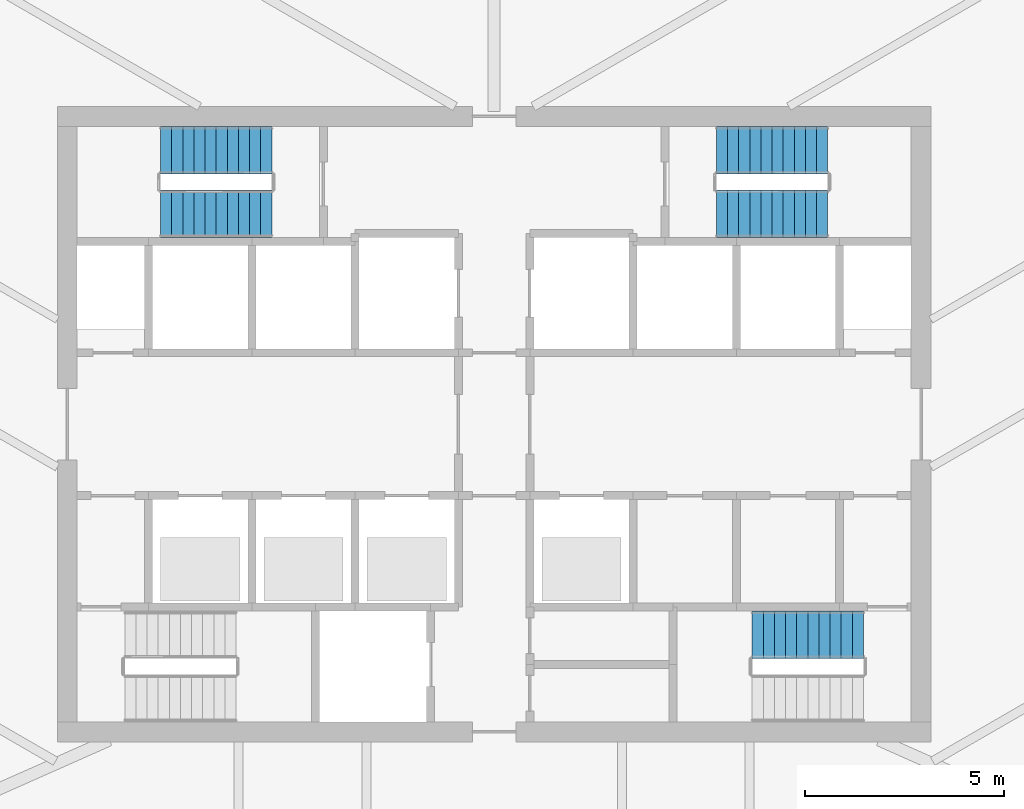
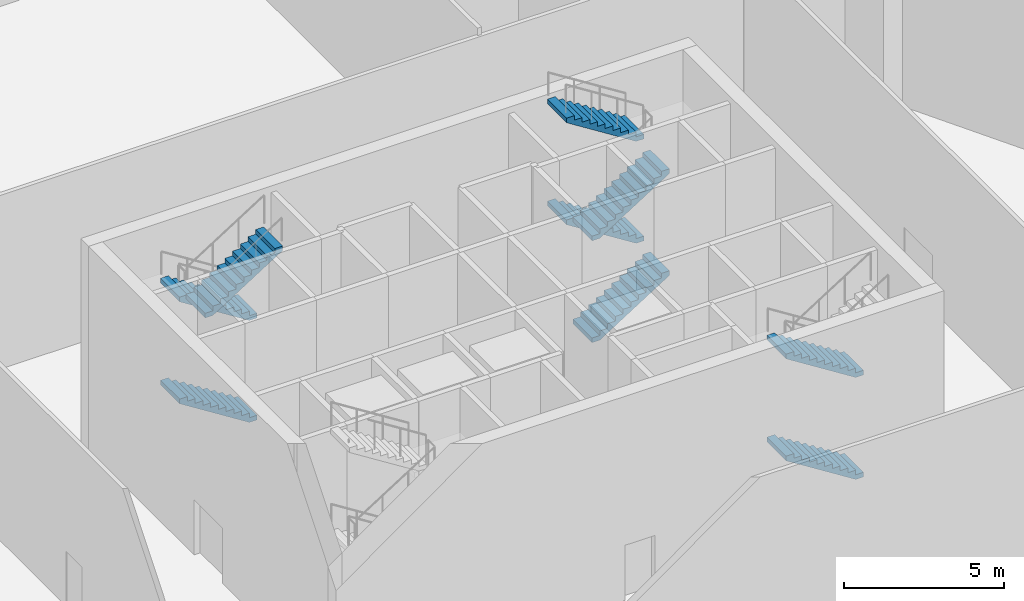
# One storey, part 13 of 20: 9 stair flights, 3 elements without a shape of their own.
"""IFC4 building model written with IfcOpenShell, lengths in metres."""

from ifc_helpers import new_model, si_unit, direction, frame, origin, place, context, subcontext, project, spatial, polyline, outline, extrude, material, type_object, element, aggregate, save


model = new_model("IFC4")

# Units and contexts
model_context = context("Model", 3, precision=1e-05, world=origin(), true_north=direction((0.0, 1.0)))
body_context = subcontext(model_context, "Body", "Model", "MODEL_VIEW")
ifc_project = project(units=[si_unit("LENGTHUNIT", "METRE"), si_unit("AREAUNIT", "SQUARE_METRE"), si_unit("VOLUMEUNIT", "CUBIC_METRE"), si_unit("PLANEANGLEUNIT", "RADIAN"), si_unit("MASSUNIT", "GRAM", prefix="KILO")], contexts=[model_context])

# Site, building, storey
site_placement = place(None, origin())
site = spatial("IfcSite", under=ifc_project, at=site_placement, CompositionType="ELEMENT")
building_placement = place(site_placement, origin())
building = spatial("IfcBuilding", under=site, at=building_placement, Name="Sierra Prisma Convention Tower", CompositionType="ELEMENT")
storey_placement = place(building_placement, frame((0.0, 0.0, 9.0)))
storey = spatial("IfcBuildingStorey", under=building, at=storey_placement, Name="L01", CompositionType="ELEMENT", Elevation=9.0)

# Stair, stair flights
ifc_material_1 = material(Name="Concrete C30/37", Category="concrete")
stair_type = type_object("IfcStairType", Name="Stair dog-leg 1200 RC", PredefinedType="HALF_TURN_STAIR", material=ifc_material_1)
stair_1_placement = place(storey_placement, origin())
stair_1 = element("IfcStair", 1, at=stair_1_placement, inside=storey, type_object=stair_type, Name="L01 S2", PredefinedType="HALF_TURN_STAIR")
ifc_material_2 = material(Name="Concrete C30/37", Category="concrete")
stair_flight_type = type_object("IfcStairFlightType", Name="Stair flight RC 1200", PredefinedType="STRAIGHT", material=ifc_material_2)
stair_flight_1_placement = place(storey_placement, frame((9.300048828125, -5.300048828125, 0.0), z_axis=(0.0, 0.0, 1.0), x_axis=(-1.0, 0.0, 0.0)))
stair_flight_1 = element("IfcStairFlight", 2, at=stair_flight_1_placement, type_object=stair_flight_type, Name="S2 flight 1", NumberOfRisers=11, NumberOfTreads=10, PredefinedType="STRAIGHT", RiserHeight=0.177272727, TreadLength=0.28, context=body_context, shape_type="SweptSolid", body=[
    extrude(outline(polyline([(0.0, 0.0), (0.0, 0.17724609375), (0.280029296875, 0.17724609375), (0.280029296875, 0.3544921875), (0.56005859375, 0.3544921875), (0.56005859375, 0.53173828125), (0.840087890625, 0.53173828125), (0.840087890625, 0.708984375), (1.1201171875, 0.708984375), (1.1201171875, 0.886474609375), (1.39990234375, 0.886474609375), (1.39990234375, 1.063720703125), (1.679931640625, 1.063720703125), (1.679931640625, 1.240966796875), (1.9599609375, 1.240966796875), (1.9599609375, 1.418212890625), (2.239990234375, 1.418212890625), (2.239990234375, 1.595458984375), (2.52001953125, 1.595458984375), (2.52001953125, 1.772705078125), (2.800048828125, 1.772705078125), (2.800048828125, 1.949951171875), (2.800048828125, 1.59521484375), (0.2802734375, 0.0), (0.0, 0.0)])), frame((0.0, 0.60009765625, 0.0), z_axis=(0.0, -1.0, 0.0), x_axis=(1.0, 0.0, 0.0)), (0.0, 0.0, 1.0), 1.199951171875),
])
stair_flight_2_placement = place(storey_placement, frame((9.300048828125, -5.300048828125, 3.89990234375), z_axis=(0.0, 0.0, 1.0), x_axis=(-1.0, 0.0, 0.0)))
stair_flight_2 = element("IfcStairFlight", 3, at=stair_flight_2_placement, type_object=stair_flight_type, Name="S2 flight 3", NumberOfRisers=11, NumberOfTreads=10, PredefinedType="STRAIGHT", RiserHeight=0.177272727, TreadLength=0.28, context=body_context, shape_type="SweptSolid", body=[
    extrude(outline(polyline([(0.0, 0.0), (0.0, 0.17724609375), (0.280029296875, 0.17724609375), (0.280029296875, 0.3544921875), (0.56005859375, 0.3544921875), (0.56005859375, 0.53173828125), (0.840087890625, 0.53173828125), (0.840087890625, 0.708984375), (1.1201171875, 0.708984375), (1.1201171875, 0.886474609375), (1.39990234375, 0.886474609375), (1.39990234375, 1.063720703125), (1.679931640625, 1.063720703125), (1.679931640625, 1.240966796875), (1.9599609375, 1.240966796875), (1.9599609375, 1.418212890625), (2.239990234375, 1.418212890625), (2.239990234375, 1.595458984375), (2.52001953125, 1.595458984375), (2.52001953125, 1.772705078125), (2.800048828125, 1.772705078125), (2.800048828125, 1.949951171875), (2.800048828125, 1.59521484375), (0.2802734375, 0.0), (0.0, 0.0)])), frame((0.0, 0.60009765625, 0.0), z_axis=(0.0, -1.0, 0.0), x_axis=(1.0, 0.0, 0.0)), (0.0, 0.0, 1.0), 1.199951171875),
])
aggregate(stair_1, [stair_flight_1, stair_flight_2])

stair_2_placement = place(storey_placement, origin())
stair_2 = element("IfcStair", 4, at=stair_2_placement, inside=storey, type_object=stair_type, Name="L01 S3", PredefinedType="HALF_TURN_STAIR")
stair_flight_3_placement = place(storey_placement, frame((-5.60009765625, 6.89990234375, 0.0), z_axis=(0.0, 0.0, 1.0), x_axis=(-1.0, 0.0, 0.0)))
stair_flight_3 = element("IfcStairFlight", 5, at=stair_flight_3_placement, type_object=stair_flight_type, Name="S3 flight 1", NumberOfRisers=11, NumberOfTreads=10, PredefinedType="STRAIGHT", RiserHeight=0.177272727, TreadLength=0.28, context=body_context, shape_type="SweptSolid", body=[
    extrude(outline(polyline([(0.0, 0.0), (0.0, 0.17724609375), (0.280029296875, 0.17724609375), (0.280029296875, 0.3544921875), (0.56005859375, 0.3544921875), (0.56005859375, 0.53173828125), (0.840087890625, 0.53173828125), (0.840087890625, 0.708984375), (1.1201171875, 0.708984375), (1.1201171875, 0.886474609375), (1.39990234375, 0.886474609375), (1.39990234375, 1.063720703125), (1.679931640625, 1.063720703125), (1.679931640625, 1.240966796875), (1.9599609375, 1.240966796875), (1.9599609375, 1.418212890625), (2.239990234375, 1.418212890625), (2.239990234375, 1.595458984375), (2.52001953125, 1.595458984375), (2.52001953125, 1.772705078125), (2.800048828125, 1.772705078125), (2.800048828125, 1.949951171875), (2.800048828125, 1.59521484375), (0.2802734375, 0.0), (0.0, 0.0)])), frame((0.0, 0.60009765625, 0.0), z_axis=(0.0, -1.0, 0.0), x_axis=(1.0, 0.0, 0.0)), (0.0, 0.0, 1.0), 1.199951171875),
])
stair_flight_4_placement = place(storey_placement, frame((-5.60009765625, 6.89990234375, 3.89990234375), z_axis=(0.0, 0.0, 1.0), x_axis=(-1.0, 0.0, 0.0)))
stair_flight_4 = element("IfcStairFlight", 6, at=stair_flight_4_placement, type_object=stair_flight_type, Name="S3 flight 3", NumberOfRisers=11, NumberOfTreads=10, PredefinedType="STRAIGHT", RiserHeight=0.177272727, TreadLength=0.28, context=body_context, shape_type="SweptSolid", body=[
    extrude(outline(polyline([(0.0, 0.0), (0.0, 0.17724609375), (0.280029296875, 0.17724609375), (0.280029296875, 0.3544921875), (0.56005859375, 0.3544921875), (0.56005859375, 0.53173828125), (0.840087890625, 0.53173828125), (0.840087890625, 0.708984375), (1.1201171875, 0.708984375), (1.1201171875, 0.886474609375), (1.39990234375, 0.886474609375), (1.39990234375, 1.063720703125), (1.679931640625, 1.063720703125), (1.679931640625, 1.240966796875), (1.9599609375, 1.240966796875), (1.9599609375, 1.418212890625), (2.239990234375, 1.418212890625), (2.239990234375, 1.595458984375), (2.52001953125, 1.595458984375), (2.52001953125, 1.772705078125), (2.800048828125, 1.772705078125), (2.800048828125, 1.949951171875), (2.800048828125, 1.59521484375), (0.2802734375, 0.0), (0.0, 0.0)])), frame((0.0, 0.60009765625, 0.0), z_axis=(0.0, -1.0, 0.0), x_axis=(1.0, 0.0, 0.0)), (0.0, 0.0, 1.0), 1.199951171875),
])
stair_flight_5_placement = place(storey_placement, frame((-8.39990234375, 5.300048828125, 5.85009765625), z_axis=(0.0, 0.0, 1.0), x_axis=(1.0, 0.0, 0.0)))
stair_flight_5 = element("IfcStairFlight", 7, at=stair_flight_5_placement, type_object=stair_flight_type, Name="S3 flight 4", NumberOfRisers=11, NumberOfTreads=10, PredefinedType="STRAIGHT", RiserHeight=0.177272727, TreadLength=0.28, context=body_context, shape_type="SweptSolid", body=[
    extrude(outline(polyline([(0.0, 0.0), (0.0, 0.17724609375), (0.280029296875, 0.17724609375), (0.280029296875, 0.3544921875), (0.56005859375, 0.3544921875), (0.56005859375, 0.53173828125), (0.840087890625, 0.53173828125), (0.840087890625, 0.708984375), (1.1201171875, 0.708984375), (1.1201171875, 0.886474609375), (1.39990234375, 0.886474609375), (1.39990234375, 1.063720703125), (1.679931640625, 1.063720703125), (1.679931640625, 1.240966796875), (1.9599609375, 1.240966796875), (1.9599609375, 1.418212890625), (2.239990234375, 1.418212890625), (2.239990234375, 1.595458984375), (2.52001953125, 1.595458984375), (2.52001953125, 1.772705078125), (2.800048828125, 1.772705078125), (2.800048828125, 1.949951171875), (2.800048828125, 1.59521484375), (0.2802734375, 0.0), (0.0, 0.0)])), frame((0.0, 0.60009765625, 0.0), z_axis=(0.0, -1.0, 0.0), x_axis=(1.0, 0.0, 0.0)), (0.0, 0.0, 1.0), 1.199951171875),
])
aggregate(stair_2, [stair_flight_3, stair_flight_4, stair_flight_5])

stair_3_placement = place(storey_placement, origin())
stair_3 = element("IfcStair", 8, at=stair_3_placement, inside=storey, type_object=stair_type, Name="L01 S4", PredefinedType="HALF_TURN_STAIR")
stair_flight_6_placement = place(storey_placement, frame((5.60009765625, 5.300048828125, 0.0), z_axis=(0.0, 0.0, 1.0), x_axis=(1.0, 0.0, 0.0)))
stair_flight_6 = element("IfcStairFlight", 9, at=stair_flight_6_placement, type_object=stair_flight_type, Name="S4 flight 1", NumberOfRisers=11, NumberOfTreads=10, PredefinedType="STRAIGHT", RiserHeight=0.177272727, TreadLength=0.28, context=body_context, shape_type="SweptSolid", body=[
    extrude(outline(polyline([(0.0, 0.0), (0.0, 0.17724609375), (0.280029296875, 0.17724609375), (0.280029296875, 0.3544921875), (0.56005859375, 0.3544921875), (0.56005859375, 0.53173828125), (0.840087890625, 0.53173828125), (0.840087890625, 0.708984375), (1.1201171875, 0.708984375), (1.1201171875, 0.886474609375), (1.39990234375, 0.886474609375), (1.39990234375, 1.063720703125), (1.679931640625, 1.063720703125), (1.679931640625, 1.240966796875), (1.9599609375, 1.240966796875), (1.9599609375, 1.418212890625), (2.239990234375, 1.418212890625), (2.239990234375, 1.595458984375), (2.52001953125, 1.595458984375), (2.52001953125, 1.772705078125), (2.800048828125, 1.772705078125), (2.800048828125, 1.949951171875), (2.800048828125, 1.59521484375), (0.2802734375, 0.0), (0.0, 0.0)])), frame((0.0, 0.60009765625, 0.0), z_axis=(0.0, -1.0, 0.0), x_axis=(1.0, 0.0, 0.0)), (0.0, 0.0, 1.0), 1.199951171875),
])
stair_flight_7_placement = place(storey_placement, frame((8.39990234375, 6.89990234375, 1.949951171875), z_axis=(0.0, 0.0, 1.0), x_axis=(-1.0, 0.0, 0.0)))
stair_flight_7 = element("IfcStairFlight", 10, at=stair_flight_7_placement, type_object=stair_flight_type, Name="S4 flight 2", NumberOfRisers=11, NumberOfTreads=10, PredefinedType="STRAIGHT", RiserHeight=0.177272727, TreadLength=0.28, context=body_context, shape_type="SweptSolid", body=[
    extrude(outline(polyline([(0.0, 0.0), (0.0, 0.17724609375), (0.280029296875, 0.17724609375), (0.280029296875, 0.3544921875), (0.56005859375, 0.3544921875), (0.56005859375, 0.53173828125), (0.840087890625, 0.53173828125), (0.840087890625, 0.708984375), (1.1201171875, 0.708984375), (1.1201171875, 0.886474609375), (1.39990234375, 0.886474609375), (1.39990234375, 1.063720703125), (1.679931640625, 1.063720703125), (1.679931640625, 1.240966796875), (1.9599609375, 1.240966796875), (1.9599609375, 1.418212890625), (2.239990234375, 1.418212890625), (2.239990234375, 1.595458984375), (2.52001953125, 1.595458984375), (2.52001953125, 1.772705078125), (2.800048828125, 1.772705078125), (2.800048828125, 1.949951171875), (2.800048828125, 1.59521484375), (0.2802734375, 0.0), (0.0, 0.0)])), frame((0.0, 0.60009765625, 0.0), z_axis=(0.0, -1.0, 0.0), x_axis=(1.0, 0.0, 0.0)), (0.0, 0.0, 1.0), 1.199951171875),
])
stair_flight_8_placement = place(storey_placement, frame((5.60009765625, 5.300048828125, 3.89990234375), z_axis=(0.0, 0.0, 1.0), x_axis=(1.0, 0.0, 0.0)))
stair_flight_8 = element("IfcStairFlight", 11, at=stair_flight_8_placement, type_object=stair_flight_type, Name="S4 flight 3", NumberOfRisers=11, NumberOfTreads=10, PredefinedType="STRAIGHT", RiserHeight=0.177272727, TreadLength=0.28, context=body_context, shape_type="SweptSolid", body=[
    extrude(outline(polyline([(0.0, 0.0), (0.0, 0.17724609375), (0.280029296875, 0.17724609375), (0.280029296875, 0.3544921875), (0.56005859375, 0.3544921875), (0.56005859375, 0.53173828125), (0.840087890625, 0.53173828125), (0.840087890625, 0.708984375), (1.1201171875, 0.708984375), (1.1201171875, 0.886474609375), (1.39990234375, 0.886474609375), (1.39990234375, 1.063720703125), (1.679931640625, 1.063720703125), (1.679931640625, 1.240966796875), (1.9599609375, 1.240966796875), (1.9599609375, 1.418212890625), (2.239990234375, 1.418212890625), (2.239990234375, 1.595458984375), (2.52001953125, 1.595458984375), (2.52001953125, 1.772705078125), (2.800048828125, 1.772705078125), (2.800048828125, 1.949951171875), (2.800048828125, 1.59521484375), (0.2802734375, 0.0), (0.0, 0.0)])), frame((0.0, 0.60009765625, 0.0), z_axis=(0.0, -1.0, 0.0), x_axis=(1.0, 0.0, 0.0)), (0.0, 0.0, 1.0), 1.199951171875),
])
stair_flight_9_placement = place(storey_placement, frame((8.39990234375, 6.89990234375, 5.85009765625), z_axis=(0.0, 0.0, 1.0), x_axis=(-1.0, 0.0, 0.0)))
stair_flight_9 = element("IfcStairFlight", 12, at=stair_flight_9_placement, type_object=stair_flight_type, Name="S4 flight 4", NumberOfRisers=11, NumberOfTreads=10, PredefinedType="STRAIGHT", RiserHeight=0.177272727, TreadLength=0.28, context=body_context, shape_type="SweptSolid", body=[
    extrude(outline(polyline([(0.0, 0.0), (0.0, 0.17724609375), (0.280029296875, 0.17724609375), (0.280029296875, 0.3544921875), (0.56005859375, 0.3544921875), (0.56005859375, 0.53173828125), (0.840087890625, 0.53173828125), (0.840087890625, 0.708984375), (1.1201171875, 0.708984375), (1.1201171875, 0.886474609375), (1.39990234375, 0.886474609375), (1.39990234375, 1.063720703125), (1.679931640625, 1.063720703125), (1.679931640625, 1.240966796875), (1.9599609375, 1.240966796875), (1.9599609375, 1.418212890625), (2.239990234375, 1.418212890625), (2.239990234375, 1.595458984375), (2.52001953125, 1.595458984375), (2.52001953125, 1.772705078125), (2.800048828125, 1.772705078125), (2.800048828125, 1.949951171875), (2.800048828125, 1.59521484375), (0.2802734375, 0.0), (0.0, 0.0)])), frame((0.0, 0.60009765625, 0.0), z_axis=(0.0, -1.0, 0.0), x_axis=(1.0, 0.0, 0.0)), (0.0, 0.0, 1.0), 1.199951171875),
])
aggregate(stair_3, [stair_flight_6, stair_flight_7, stair_flight_8, stair_flight_9])

save(model, "model.ifc")
